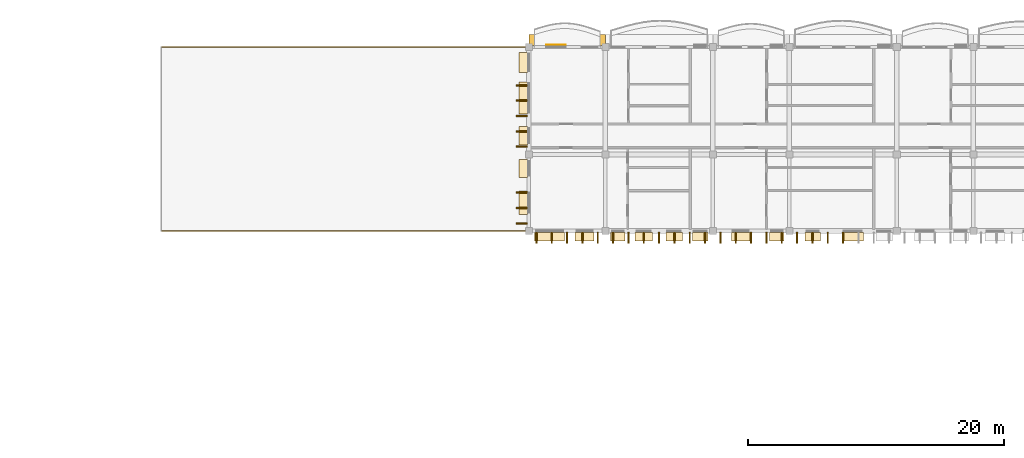
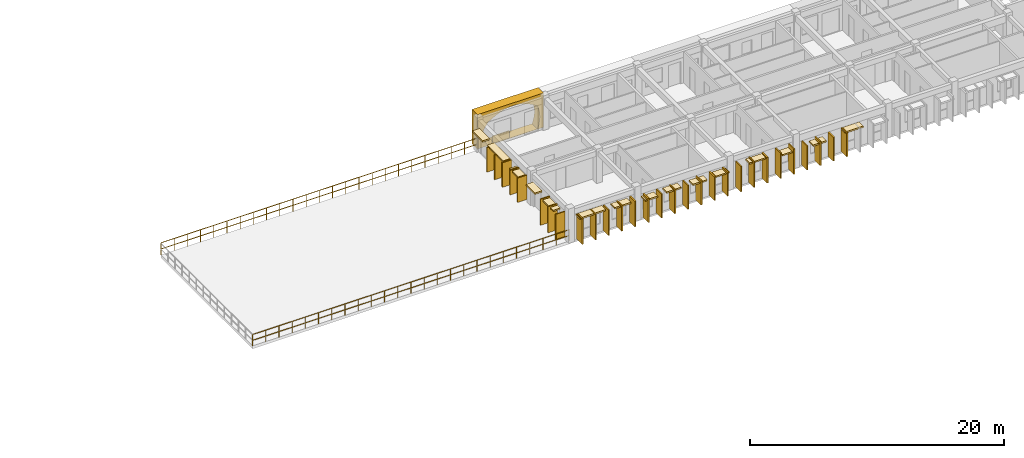
# One storey, part 39 of 45: 46 coverings, 2 railings.
"""IFC4 building model written with IfcOpenShell, lengths in metres."""

from ifc_helpers import new_model, si_unit, direction, frame, origin, origin_2d, place, context, subcontext, project, spatial, polyline, rectangle, outline, extrude, material, layer, layer_set, type_object, element, save


model = new_model("IFC4")

# Units and contexts
model_context = context("Model", 3, precision=1e-05, world=origin(), true_north=direction((0.0, 1.0)))
body_context = subcontext(model_context, "Body", "Model", "MODEL_VIEW")
ifc_project = project(units=[si_unit("LENGTHUNIT", "METRE"), si_unit("AREAUNIT", "SQUARE_METRE"), si_unit("VOLUMEUNIT", "CUBIC_METRE"), si_unit("PLANEANGLEUNIT", "RADIAN"), si_unit("MASSUNIT", "GRAM", prefix="KILO"), si_unit("THERMODYNAMICTEMPERATUREUNIT", "KELVIN")], contexts=[model_context])

# Site, building, storey
site_placement = place(None, origin())
site = spatial("IfcSite", under=ifc_project, at=site_placement, CompositionType="ELEMENT")
building_placement = place(site_placement, origin())
building = spatial("IfcBuilding", under=site, at=building_placement, Name="Thalorik Housing Commons", CompositionType="ELEMENT")
storey_placement = place(building_placement, frame((0.0, 0.0, 34.5)))
storey = spatial("IfcBuildingStorey", under=building, at=storey_placement, Name="L10", CompositionType="ELEMENT", Elevation=34.5)

# Coverings
ifc_material_1 = material(Name="Precast concrete C40/50", Category="concrete")
ifc_layer_1 = layer(ifc_material_1, 0.85009765625, Name="Precast concrete C40/50", Category="concrete")
ifc_layer_set_1 = layer_set([ifc_layer_1], Name="Precast concrete C40/50")
covering_type_1 = type_object("IfcCoveringType", Name="ARC-CLD-CUSH-850", PredefinedType="CLADDING", material=ifc_layer_set_1)
covering_1_placement = place(storey_placement, frame((112.199951171875, 124.137451171875, 0.0), z_axis=(0.0, 0.0, 1.0), x_axis=(-1.0, 0.0, 0.0)))
element("IfcCovering", 1, at=covering_1_placement, inside=storey, type_object=covering_type_1, Name="L10 White Precast Curved Cushion Bay Frame 3052", PredefinedType="CLADDING", context=body_context, shape_type="SweptSolid", body=[
    extrude(outline(polyline([(-3.0, 0.0), (3.0, 0.0), (3.0, 3.300048828125), (-3.0, 3.300048828125), (-3.0, 0.0)]), holes=[polyline([(2.0400390625, 0.02490234375), (2.3232421875, 0.394287109375), (2.493408203125, 0.76318359375), (2.550048828125, 1.132568359375), (2.493408203125, 1.501708984375), (2.3232421875, 1.870849609375), (2.0400390625, 2.239990234375), (1.66748046875, 2.4833984375), (1.294921875, 2.6748046875), (0.922607421875, 2.82958984375), (0.550048828125, 2.94482421875), (0.177490234375, 3.01611328125), (-0.195068359375, 3.0400390625), (-0.5673828125, 3.01611328125), (-0.93994140625, 2.94482421875), (-1.3125, 2.82958984375), (-1.68505859375, 2.6748046875), (-2.0576171875, 2.4833984375), (-2.429931640625, 2.239990234375), (-2.55029296875, 1.870849609375), (-2.62255859375, 1.501708984375), (-2.646484375, 1.132568359375), (-2.62255859375, 0.76318359375), (-2.55029296875, 0.394287109375), (-2.429931640625, 0.02490234375), (2.0400390625, 0.02490234375)])]), frame((0.0, 0.425048828125, 0.0), z_axis=(0.0, -1.0, 0.0), x_axis=(1.0, 0.0, 0.0)), (0.0, 0.0, 1.0), 0.85009765625),
])
ifc_layer_2 = layer(ifc_material_1, 0.85009765625, Name="Precast concrete C40/50", Category="concrete")
ifc_layer_set_2 = layer_set([ifc_layer_2], Name="Precast concrete C40/50")
covering_type_2 = type_object("IfcCoveringType", Name="ARC-CLD-FIN-850", PredefinedType="CLADDING", material=ifc_layer_set_2)
for number, where, z_axis, x_axis, name in (
    (2, (108.66259765625, 120.60009765625, 0.0400390625), (0.0, 0.0, 1.0), (0.0, -1.0, 0.0), "L10 Courtyard Precast Vertical Brise-Soleil Fin 3054"),
    (3, (108.66259765625, 119.39990234375, 0.0400390625), (0.0, 0.0, 1.0), (0.0, -1.0, 0.0), "L10 Courtyard Precast Vertical Brise-Soleil Fin 3055"),
    (4, (108.66259765625, 118.199951171875, 0.0400390625), (0.0, 0.0, 1.0), (0.0, -1.0, 0.0), "L10 Courtyard Precast Vertical Brise-Soleil Fin 3056"),
    (5, (108.66259765625, 117.0, 0.0400390625), (0.0, 0.0, 1.0), (0.0, -1.0, 0.0), "L10 Courtyard Precast Vertical Brise-Soleil Fin 3057"),
    (6, (108.66259765625, 115.800048828125, 0.0400390625), (0.0, 0.0, 1.0), (0.0, -1.0, 0.0), "L10 Courtyard Precast Vertical Brise-Soleil Fin 3058"),
):
    element("IfcCovering", number, at=place(storey_placement, frame(where, z_axis=z_axis, x_axis=x_axis)), inside=storey, type_object=covering_type_2, Name=name, PredefinedType="CLADDING", context=body_context, shape_type="SweptSolid", body=[
        extrude(rectangle(XDim=0.110107421875, YDim=0.85009765625, at=origin_2d()), origin(), (0.0, 0.0, 1.0), 2.344970703125),
    ])
for number, where, z_axis, x_axis, name in (
    (7, (108.66259765625, 112.199951171875, 0.0400390625), (0.0, 0.0, 1.0), (0.0, -1.0, 0.0), "L10 Courtyard Precast Vertical Brise-Soleil Fin 3062"),
    (8, (108.66259765625, 111.0, 0.0400390625), (0.0, 0.0, 1.0), (0.0, -1.0, 0.0), "L10 Courtyard Precast Vertical Brise-Soleil Fin 3063"),
    (9, (108.66259765625, 109.800048828125, 0.0400390625), (0.0, 0.0, 1.0), (0.0, -1.0, 0.0), "L10 Courtyard Precast Vertical Brise-Soleil Fin 3064"),
):
    element("IfcCovering", number, at=place(storey_placement, frame(where, z_axis=z_axis, x_axis=x_axis)), inside=storey, type_object=covering_type_2, Name=name, PredefinedType="CLADDING", context=body_context, shape_type="SweptSolid", body=[
        extrude(rectangle(XDim=0.110107421875, YDim=0.85009765625, at=origin_2d()), origin(), (0.0, 0.0, 1.0), 2.4951171875),
    ])
for number, where, z_axis, x_axis, name in (
    (10, (109.800048828125, 108.66259765625, 0.0400390625), (0.0, 0.0, 1.0), (1.0, 0.0, 0.0), "L10 Courtyard Precast Vertical Brise-Soleil Fin 3067"),
    (11, (111.0, 108.66259765625, 0.0400390625), (0.0, 0.0, 1.0), (1.0, 0.0, 0.0), "L10 Courtyard Precast Vertical Brise-Soleil Fin 3068"),
    (12, (112.199951171875, 108.66259765625, 0.0400390625), (0.0, 0.0, 1.0), (1.0, 0.0, 0.0), "L10 Courtyard Precast Vertical Brise-Soleil Fin 3069"),
    (13, (113.39990234375, 108.66259765625, 0.0400390625), (0.0, 0.0, 1.0), (1.0, 0.0, 0.0), "L10 Courtyard Precast Vertical Brise-Soleil Fin 3070"),
    (14, (114.60009765625, 108.66259765625, 0.0400390625), (0.0, 0.0, 1.0), (1.0, 0.0, 0.0), "L10 Courtyard Precast Vertical Brise-Soleil Fin 3071"),
):
    element("IfcCovering", number, at=place(storey_placement, frame(where, z_axis=z_axis, x_axis=x_axis)), inside=storey, type_object=covering_type_2, Name=name, PredefinedType="CLADDING", context=body_context, shape_type="SweptSolid", body=[
        extrude(rectangle(XDim=0.110107421875, YDim=0.85009765625, at=origin_2d()), origin(), (0.0, 0.0, 1.0), 2.445068359375),
    ])
for number, where, z_axis, x_axis, name in (
    (15, (115.800048828125, 108.66259765625, 0.0400390625), (0.0, 0.0, 1.0), (1.0, 0.0, 0.0), "L10 Courtyard Precast Vertical Brise-Soleil Fin 3074"),
    (16, (117.0, 108.66259765625, 0.0400390625), (0.0, 0.0, 1.0), (1.0, 0.0, 0.0), "L10 Courtyard Precast Vertical Brise-Soleil Fin 3075"),
    (17, (118.199951171875, 108.66259765625, 0.0400390625), (0.0, 0.0, 1.0), (1.0, 0.0, 0.0), "L10 Courtyard Precast Vertical Brise-Soleil Fin 3076"),
    (18, (119.39990234375, 108.66259765625, 0.0400390625), (0.0, 0.0, 1.0), (1.0, 0.0, 0.0), "L10 Courtyard Precast Vertical Brise-Soleil Fin 3077"),
    (19, (120.60009765625, 108.66259765625, 0.0400390625), (0.0, 0.0, 1.0), (1.0, 0.0, 0.0), "L10 Courtyard Precast Vertical Brise-Soleil Fin 3078"),
    (20, (121.800048828125, 108.66259765625, 0.0400390625), (0.0, 0.0, 1.0), (1.0, 0.0, 0.0), "L10 Courtyard Precast Vertical Brise-Soleil Fin 3079"),
    (21, (123.0, 108.66259765625, 0.0400390625), (0.0, 0.0, 1.0), (1.0, 0.0, 0.0), "L10 Courtyard Precast Vertical Brise-Soleil Fin 3080"),
):
    element("IfcCovering", number, at=place(storey_placement, frame(where, z_axis=z_axis, x_axis=x_axis)), inside=storey, type_object=covering_type_2, Name=name, PredefinedType="CLADDING", context=body_context, shape_type="SweptSolid", body=[
        extrude(rectangle(XDim=0.110107421875, YDim=0.85009765625, at=origin_2d()), origin(), (0.0, 0.0, 1.0), 2.294921875),
    ])
for number, where, z_axis, x_axis, name in (
    (22, (124.199951171875, 108.66259765625, 0.0400390625), (0.0, 0.0, 1.0), (1.0, 0.0, 0.0), "L10 Courtyard Precast Vertical Brise-Soleil Fin 3085"),
    (23, (125.39990234375, 108.66259765625, 0.0400390625), (0.0, 0.0, 1.0), (1.0, 0.0, 0.0), "L10 Courtyard Precast Vertical Brise-Soleil Fin 3086"),
    (24, (126.60009765625, 108.66259765625, 0.0400390625), (0.0, 0.0, 1.0), (1.0, 0.0, 0.0), "L10 Courtyard Precast Vertical Brise-Soleil Fin 3087"),
    (25, (127.800048828125, 108.66259765625, 0.0400390625), (0.0, 0.0, 1.0), (1.0, 0.0, 0.0), "L10 Courtyard Precast Vertical Brise-Soleil Fin 3088"),
    (26, (129.0, 108.66259765625, 0.0400390625), (0.0, 0.0, 1.0), (1.0, 0.0, 0.0), "L10 Courtyard Precast Vertical Brise-Soleil Fin 3089"),
):
    element("IfcCovering", number, at=place(storey_placement, frame(where, z_axis=z_axis, x_axis=x_axis)), inside=storey, type_object=covering_type_2, Name=name, PredefinedType="CLADDING", context=body_context, shape_type="SweptSolid", body=[
        extrude(rectangle(XDim=0.110107421875, YDim=0.85009765625, at=origin_2d()), origin(), (0.0, 0.0, 1.0), 2.445068359375),
    ])
for number, where, z_axis, x_axis, name in (
    (27, (130.199951171875, 108.66259765625, 0.0400390625), (0.0, 0.0, 1.0), (1.0, 0.0, 0.0), "L10 Courtyard Precast Vertical Brise-Soleil Fin 3092"),
    (28, (131.39990234375, 108.66259765625, 0.0400390625), (0.0, 0.0, 1.0), (1.0, 0.0, 0.0), "L10 Courtyard Precast Vertical Brise-Soleil Fin 3093"),
    (29, (132.60009765625, 108.66259765625, 0.0400390625), (0.0, 0.0, 1.0), (1.0, 0.0, 0.0), "L10 Courtyard Precast Vertical Brise-Soleil Fin 3094"),
    (30, (133.800048828125, 108.66259765625, 0.0400390625), (0.0, 0.0, 1.0), (1.0, 0.0, 0.0), "L10 Courtyard Precast Vertical Brise-Soleil Fin 3095"),
):
    element("IfcCovering", number, at=place(storey_placement, frame(where, z_axis=z_axis, x_axis=x_axis)), inside=storey, type_object=covering_type_2, Name=name, PredefinedType="CLADDING", context=body_context, shape_type="SweptSolid", body=[
        extrude(rectangle(XDim=0.110107421875, YDim=0.85009765625, at=origin_2d()), origin(), (0.0, 0.0, 1.0), 2.294921875),
    ])
ifc_layer_3 = layer(ifc_material_1, 0.64990234375, Name="Precast concrete C40/50", Category="concrete")
ifc_layer_set_3 = layer_set([ifc_layer_3], Name="Precast concrete C40/50")
covering_type_3 = type_object("IfcCoveringType", Name="ARC-CLD-HOOD-650", PredefinedType="CLADDING", material=ifc_layer_set_3)
covering_2_placement = place(storey_placement, frame((108.762451171875, 122.385009765625, 2.2099609375), z_axis=(0.0, 0.0, 1.0), x_axis=(0.0, -1.0, 0.0)))
element("IfcCovering", 31, at=covering_2_placement, inside=storey, type_object=covering_type_3, Name="L10 Courtyard Precast Window Sun-Hood 3059", PredefinedType="CLADDING", context=body_context, shape_type="SweptSolid", body=[
    extrude(rectangle(XDim=1.590087890625, YDim=0.64990234375, at=origin_2d()), origin(), (0.0, 0.0, 1.0), 0.139892578125),
])
covering_3_placement = place(storey_placement, frame((108.762451171875, 119.610107421875, 2.25), z_axis=(0.0, 0.0, 1.0), x_axis=(0.0, -1.0, 0.0)))
element("IfcCovering", 32, at=covering_3_placement, inside=storey, type_object=covering_type_3, Name="L10 Courtyard Precast Window Sun-Hood 3060", PredefinedType="CLADDING", context=body_context, shape_type="SweptSolid", body=[
    extrude(rectangle(XDim=2.52001953125, YDim=0.64990234375, at=origin_2d()), origin(), (0.0, 0.0, 1.0), 0.139892578125),
])
covering_4_placement = place(storey_placement, frame((108.762451171875, 116.64990234375, 2.14013671875), z_axis=(0.0, 0.0, 1.0), x_axis=(0.0, -1.0, 0.0)))
element("IfcCovering", 33, at=covering_4_placement, inside=storey, type_object=covering_type_3, Name="L10 Courtyard Precast Window Sun-Hood 3061", PredefinedType="CLADDING", context=body_context, shape_type="SweptSolid", body=[
    extrude(rectangle(XDim=1.43994140625, YDim=0.64990234375, at=origin_2d()), origin(), (0.0, 0.0, 1.0), 0.139892578125),
])
covering_5_placement = place(storey_placement, frame((108.762451171875, 114.0849609375, 2.16015625), z_axis=(0.0, 0.0, 1.0), x_axis=(0.0, -1.0, 0.0)))
element("IfcCovering", 34, at=covering_5_placement, inside=storey, type_object=covering_type_3, Name="L10 Courtyard Precast Window Sun-Hood 3065", PredefinedType="CLADDING", context=body_context, shape_type="SweptSolid", body=[
    extrude(rectangle(XDim=1.389892578125, YDim=0.64990234375, at=origin_2d()), origin(), (0.0, 0.0, 1.0), 0.139892578125),
])
covering_6_placement = place(storey_placement, frame((108.762451171875, 111.4150390625, 2.27001953125), z_axis=(0.0, 0.0, 1.0), x_axis=(0.0, -1.0, 0.0)))
element("IfcCovering", 35, at=covering_6_placement, inside=storey, type_object=covering_type_3, Name="L10 Courtyard Precast Window Sun-Hood 3066", PredefinedType="CLADDING", context=body_context, shape_type="SweptSolid", body=[
    extrude(rectangle(XDim=1.820068359375, YDim=0.64990234375, at=origin_2d()), origin(), (0.0, 0.0, 1.0), 0.139892578125),
])
covering_7_placement = place(storey_placement, frame((110.830078125, 108.762451171875, 2.33984375), z_axis=(0.0, 0.0, 1.0), x_axis=(1.0, 0.0, 0.0)))
element("IfcCovering", 36, at=covering_7_placement, inside=storey, type_object=covering_type_3, Name="L10 Courtyard Precast Window Sun-Hood 3072", PredefinedType="CLADDING", context=body_context, shape_type="SweptSolid", body=[
    extrude(rectangle(XDim=2.340087890625, YDim=0.64990234375, at=origin_2d()), origin(), (0.0, 0.0, 1.0), 0.139892578125),
])
covering_8_placement = place(storey_placement, frame((113.570068359375, 108.762451171875, 2.240234375), z_axis=(0.0, 0.0, 1.0), x_axis=(1.0, 0.0, 0.0)))
element("IfcCovering", 37, at=covering_8_placement, inside=storey, type_object=covering_type_3, Name="L10 Courtyard Precast Window Sun-Hood 3073", PredefinedType="CLADDING", context=body_context, shape_type="SweptSolid", body=[
    extrude(rectangle(XDim=1.489990234375, YDim=0.64990234375, at=origin_2d()), origin(), (0.0, 0.0, 1.0), 0.139892578125),
])
covering_9_placement = place(storey_placement, frame((116.16748046875, 108.762451171875, 1.990234375), z_axis=(0.0, 0.0, 1.0), x_axis=(1.0, 0.0, 0.0)))
element("IfcCovering", 38, at=covering_9_placement, inside=storey, type_object=covering_type_3, Name="L10 Courtyard Precast Window Sun-Hood 3081", PredefinedType="CLADDING", context=body_context, shape_type="SweptSolid", body=[
    extrude(rectangle(XDim=1.139892578125, YDim=0.64990234375, at=origin_2d()), origin(), (0.0, 0.0, 1.0), 0.139892578125),
])
covering_10_placement = place(storey_placement, frame((118.201171875, 108.762451171875, 2.08984375), z_axis=(0.0, 0.0, 1.0), x_axis=(1.0, 0.0, 0.0)))
element("IfcCovering", 39, at=covering_10_placement, inside=storey, type_object=covering_type_3, Name="L10 Courtyard Precast Window Sun-Hood 3082", PredefinedType="CLADDING", context=body_context, shape_type="SweptSolid", body=[
    extrude(rectangle(XDim=1.340087890625, YDim=0.64990234375, at=origin_2d()), origin(), (0.0, 0.0, 1.0), 0.139892578125),
])
covering_11_placement = place(storey_placement, frame((120.57373046875, 108.762451171875, 1.990234375), z_axis=(0.0, 0.0, 1.0), x_axis=(1.0, 0.0, 0.0)))
element("IfcCovering", 40, at=covering_11_placement, inside=storey, type_object=covering_type_3, Name="L10 Courtyard Precast Window Sun-Hood 3083", PredefinedType="CLADDING", context=body_context, shape_type="SweptSolid", body=[
    extrude(rectangle(XDim=1.2900390625, YDim=0.64990234375, at=origin_2d()), origin(), (0.0, 0.0, 1.0), 0.139892578125),
])
covering_12_placement = place(storey_placement, frame((122.6201171875, 108.762451171875, 2.0400390625), z_axis=(0.0, 0.0, 1.0), x_axis=(1.0, 0.0, 0.0)))
element("IfcCovering", 41, at=covering_12_placement, inside=storey, type_object=covering_type_3, Name="L10 Courtyard Precast Window Sun-Hood 3084", PredefinedType="CLADDING", context=body_context, shape_type="SweptSolid", body=[
    extrude(rectangle(XDim=1.239990234375, YDim=0.64990234375, at=origin_2d()), origin(), (0.0, 0.0, 1.0), 0.139892578125),
])
covering_13_placement = place(storey_placement, frame((125.802490234375, 108.762451171875, 2.240234375), z_axis=(0.0, 0.0, 1.0), x_axis=(1.0, 0.0, 0.0)))
element("IfcCovering", 42, at=covering_13_placement, inside=storey, type_object=covering_type_3, Name="L10 Courtyard Precast Window Sun-Hood 3090", PredefinedType="CLADDING", context=body_context, shape_type="SweptSolid", body=[
    extrude(rectangle(XDim=1.489990234375, YDim=0.64990234375, at=origin_2d()), origin(), (0.0, 0.0, 1.0), 0.139892578125),
])
covering_14_placement = place(storey_placement, frame((128.612548828125, 108.762451171875, 1.990234375), z_axis=(0.0, 0.0, 1.0), x_axis=(1.0, 0.0, 0.0)))
element("IfcCovering", 43, at=covering_14_placement, inside=storey, type_object=covering_type_3, Name="L10 Courtyard Precast Window Sun-Hood 3091", PredefinedType="CLADDING", context=body_context, shape_type="SweptSolid", body=[
    extrude(rectangle(XDim=1.139892578125, YDim=0.64990234375, at=origin_2d()), origin(), (0.0, 0.0, 1.0), 0.139892578125),
])
covering_15_placement = place(storey_placement, frame((131.427490234375, 108.762451171875, 1.93994140625), z_axis=(0.0, 0.0, 1.0), x_axis=(1.0, 0.0, 0.0)))
element("IfcCovering", 44, at=covering_15_placement, inside=storey, type_object=covering_type_3, Name="L10 Courtyard Precast Window Sun-Hood 3099", PredefinedType="CLADDING", context=body_context, shape_type="SweptSolid", body=[
    extrude(rectangle(XDim=1.18994140625, YDim=0.64990234375, at=origin_2d()), origin(), (0.0, 0.0, 1.0), 0.139892578125),
])
covering_16_placement = place(storey_placement, frame((134.5625, 108.762451171875, 2.169921875), z_axis=(0.0, 0.0, 1.0), x_axis=(1.0, 0.0, 0.0)))
element("IfcCovering", 45, at=covering_16_placement, inside=storey, type_object=covering_type_3, Name="L10 Courtyard Precast Window Sun-Hood 3100", PredefinedType="CLADDING", context=body_context, shape_type="SweptSolid", body=[
    extrude(rectangle(XDim=1.659912109375, YDim=0.64990234375, at=origin_2d()), origin(), (0.0, 0.0, 1.0), 0.139892578125),
])
ifc_material_2 = material(Name="Mineral ochre architectural terracotta panel", Category="masonry")
ifc_layer_4 = layer(ifc_material_2, 0.06494140625, Name="Mineral ochre architectural terracotta panel", Category="masonry")
ifc_layer_set_4 = layer_set([ifc_layer_4], Name="Mineral ochre architectural terracotta panel")
covering_type_4 = type_object("IfcCoveringType", Name="ARC-CLD-YEL-65", PredefinedType="CLADDING", material=ifc_layer_set_4)
covering_17_placement = place(storey_placement, frame((111.3349609375, 123.75, 0.0498046875), z_axis=(0.0, 0.0, 1.0), x_axis=(-1.0, 0.0, 0.0)))
element("IfcCovering", 46, at=covering_17_placement, inside=storey, type_object=covering_type_4, Name="L10 De Stijl Recessed Window Spandrel 3053", PredefinedType="CLADDING", context=body_context, shape_type="SweptSolid", body=[
    extrude(rectangle(XDim=1.550048828125, YDim=0.06494140625, at=origin_2d()), origin(), (0.0, 0.0, 1.0), 0.699951171875),
])

# Railings
ifc_material_3 = material(Name="Steel S355", Category="steel")
railing_type_1 = type_object("IfcRailingType", Name="ARC-RL-TER-112", PredefinedType="GUARDRAIL", material=ifc_material_3)
railing_1_placement = place(storey_placement, frame((80.39990234375, 109.199951171875, 0.0)))
element("IfcRailing", 47, at=railing_1_placement, inside=storey, type_object=railing_type_1, Name="L10 L10 West Sky-Garden Terrace Edge Guardrail", PredefinedType="GUARDRAIL", context=body_context, shape_type="SweptSolid", body=[
    extrude(rectangle(XDim=0.048095703125, YDim=0.048095703125, at=origin_2d()), frame((0.0, 0.0, 1.09619140625), z_axis=(1.0, 0.0, 0.0), x_axis=(0.0, 1.0, 0.0)), (0.0, 0.0, 1.0), 28.75),
    extrude(rectangle(XDim=0.048095703125, YDim=0.048095703125, at=origin_2d()), frame((0.0, 0.0, 0.5361328125), z_axis=(1.0, 0.0, 0.0), x_axis=(0.0, 1.0, 0.0)), (0.0, 0.0, 1.0), 28.75),
    extrude(rectangle(XDim=0.0419921875, YDim=0.0419921875, at=origin_2d()), origin(), (0.0, 0.0, 1.0), 1.072021484375),
    extrude(rectangle(XDim=0.0419921875, YDim=0.0419921875, at=origin_2d()), frame((1.197998046875, 0.0, 0.0)), (0.0, 0.0, 1.0), 1.072021484375),
    extrude(rectangle(XDim=0.0419921875, YDim=0.0419921875, at=origin_2d()), frame((2.395751953125, 0.0, 0.0)), (0.0, 0.0, 1.0), 1.072021484375),
    extrude(rectangle(XDim=0.0419921875, YDim=0.0419921875, at=origin_2d()), frame((3.59375, 0.0, 0.0)), (0.0, 0.0, 1.0), 1.072021484375),
    extrude(rectangle(XDim=0.0419921875, YDim=0.0419921875, at=origin_2d()), frame((4.791748046875, 0.0, 0.0)), (0.0, 0.0, 1.0), 1.072021484375),
    extrude(rectangle(XDim=0.0419921875, YDim=0.0419921875, at=origin_2d()), frame((5.989501953125, 0.0, 0.0)), (0.0, 0.0, 1.0), 1.072021484375),
    extrude(rectangle(XDim=0.0419921875, YDim=0.0419921875, at=origin_2d()), frame((7.1875, 0.0, 0.0)), (0.0, 0.0, 1.0), 1.072021484375),
    extrude(rectangle(XDim=0.0419921875, YDim=0.0419921875, at=origin_2d()), frame((8.385498046875, 0.0, 0.0)), (0.0, 0.0, 1.0), 1.072021484375),
    extrude(rectangle(XDim=0.0419921875, YDim=0.0419921875, at=origin_2d()), frame((9.583251953125, 0.0, 0.0)), (0.0, 0.0, 1.0), 1.072021484375),
    extrude(rectangle(XDim=0.0419921875, YDim=0.0419921875, at=origin_2d()), frame((10.78125, 0.0, 0.0)), (0.0, 0.0, 1.0), 1.072021484375),
    extrude(rectangle(XDim=0.0419921875, YDim=0.0419921875, at=origin_2d()), frame((11.979248046875, 0.0, 0.0)), (0.0, 0.0, 1.0), 1.072021484375),
    extrude(rectangle(XDim=0.0419921875, YDim=0.0419921875, at=origin_2d()), frame((13.177001953125, 0.0, 0.0)), (0.0, 0.0, 1.0), 1.072021484375),
    extrude(rectangle(XDim=0.0419921875, YDim=0.0419921875, at=origin_2d()), frame((14.375, 0.0, 0.0)), (0.0, 0.0, 1.0), 1.072021484375),
    extrude(rectangle(XDim=0.0419921875, YDim=0.0419921875, at=origin_2d()), frame((15.572998046875, 0.0, 0.0)), (0.0, 0.0, 1.0), 1.072021484375),
    extrude(rectangle(XDim=0.0419921875, YDim=0.0419921875, at=origin_2d()), frame((16.770751953125, 0.0, 0.0)), (0.0, 0.0, 1.0), 1.072021484375),
    extrude(rectangle(XDim=0.0419921875, YDim=0.0419921875, at=origin_2d()), frame((17.96875, 0.0, 0.0)), (0.0, 0.0, 1.0), 1.072021484375),
    extrude(rectangle(XDim=0.0419921875, YDim=0.0419921875, at=origin_2d()), frame((19.166748046875, 0.0, 0.0)), (0.0, 0.0, 1.0), 1.072021484375),
    extrude(rectangle(XDim=0.0419921875, YDim=0.0419921875, at=origin_2d()), frame((20.364501953125, 0.0, 0.0)), (0.0, 0.0, 1.0), 1.072021484375),
    extrude(rectangle(XDim=0.0419921875, YDim=0.0419921875, at=origin_2d()), frame((21.5625, 0.0, 0.0)), (0.0, 0.0, 1.0), 1.072021484375),
    extrude(rectangle(XDim=0.0419921875, YDim=0.0419921875, at=origin_2d()), frame((22.760498046875, 0.0, 0.0)), (0.0, 0.0, 1.0), 1.072021484375),
    extrude(rectangle(XDim=0.0419921875, YDim=0.0419921875, at=origin_2d()), frame((23.958251953125, 0.0, 0.0)), (0.0, 0.0, 1.0), 1.072021484375),
    extrude(rectangle(XDim=0.0419921875, YDim=0.0419921875, at=origin_2d()), frame((25.15625, 0.0, 0.0)), (0.0, 0.0, 1.0), 1.072021484375),
    extrude(rectangle(XDim=0.0419921875, YDim=0.0419921875, at=origin_2d()), frame((26.354248046875, 0.0, 0.0)), (0.0, 0.0, 1.0), 1.072021484375),
    extrude(rectangle(XDim=0.0419921875, YDim=0.0419921875, at=origin_2d()), frame((27.552001953125, 0.0, 0.0)), (0.0, 0.0, 1.0), 1.072021484375),
    extrude(rectangle(XDim=0.0419921875, YDim=0.0419921875, at=origin_2d()), frame((28.75, 0.0, 0.0)), (0.0, 0.0, 1.0), 1.072021484375),
])
railing_type_2 = type_object("IfcRailingType", Name="ARC-RL-TER-118", PredefinedType="GUARDRAIL", material=ifc_material_3)
railing_2_placement = place(storey_placement, frame((109.14990234375, 123.60009765625, 0.0)))
element("IfcRailing", 48, at=railing_2_placement, inside=storey, type_object=railing_type_2, Name="L10 L10 West Sky-Garden Terrace Edge Guardrail", PredefinedType="GUARDRAIL", context=body_context, shape_type="SweptSolid", body=[
    extrude(rectangle(XDim=0.048095703125, YDim=0.048095703125, at=origin_2d()), frame((0.0, 0.0, 1.15576171875), z_axis=(-1.0, 0.0, 0.0), x_axis=(0.0, -1.0, 0.0)), (0.0, 0.0, 1.0), 28.75),
    extrude(rectangle(XDim=0.048095703125, YDim=0.048095703125, at=origin_2d()), frame((0.0, 0.0, 0.56591796875), z_axis=(-1.0, 0.0, 0.0), x_axis=(0.0, -1.0, 0.0)), (0.0, 0.0, 1.0), 28.75),
    extrude(rectangle(XDim=0.0419921875, YDim=0.0419921875, at=origin_2d()), origin(), (0.0, 0.0, 1.0), 1.1318359375),
    extrude(rectangle(XDim=0.0419921875, YDim=0.0419921875, at=origin_2d()), frame((-1.197998046875, 0.0, 0.0)), (0.0, 0.0, 1.0), 1.1318359375),
    extrude(rectangle(XDim=0.0419921875, YDim=0.0419921875, at=origin_2d()), frame((-2.395751953125, 0.0, 0.0)), (0.0, 0.0, 1.0), 1.1318359375),
    extrude(rectangle(XDim=0.0419921875, YDim=0.0419921875, at=origin_2d()), frame((-3.59375, 0.0, 0.0)), (0.0, 0.0, 1.0), 1.1318359375),
    extrude(rectangle(XDim=0.0419921875, YDim=0.0419921875, at=origin_2d()), frame((-4.791748046875, 0.0, 0.0)), (0.0, 0.0, 1.0), 1.1318359375),
    extrude(rectangle(XDim=0.0419921875, YDim=0.0419921875, at=origin_2d()), frame((-5.989501953125, 0.0, 0.0)), (0.0, 0.0, 1.0), 1.1318359375),
    extrude(rectangle(XDim=0.0419921875, YDim=0.0419921875, at=origin_2d()), frame((-7.1875, 0.0, 0.0)), (0.0, 0.0, 1.0), 1.1318359375),
    extrude(rectangle(XDim=0.0419921875, YDim=0.0419921875, at=origin_2d()), frame((-8.385498046875, 0.0, 0.0)), (0.0, 0.0, 1.0), 1.1318359375),
    extrude(rectangle(XDim=0.0419921875, YDim=0.0419921875, at=origin_2d()), frame((-9.583251953125, 0.0, 0.0)), (0.0, 0.0, 1.0), 1.1318359375),
    extrude(rectangle(XDim=0.0419921875, YDim=0.0419921875, at=origin_2d()), frame((-10.78125, 0.0, 0.0)), (0.0, 0.0, 1.0), 1.1318359375),
    extrude(rectangle(XDim=0.0419921875, YDim=0.0419921875, at=origin_2d()), frame((-11.979248046875, 0.0, 0.0)), (0.0, 0.0, 1.0), 1.1318359375),
    extrude(rectangle(XDim=0.0419921875, YDim=0.0419921875, at=origin_2d()), frame((-13.177001953125, 0.0, 0.0)), (0.0, 0.0, 1.0), 1.1318359375),
    extrude(rectangle(XDim=0.0419921875, YDim=0.0419921875, at=origin_2d()), frame((-14.375, 0.0, 0.0)), (0.0, 0.0, 1.0), 1.1318359375),
    extrude(rectangle(XDim=0.0419921875, YDim=0.0419921875, at=origin_2d()), frame((-15.572998046875, 0.0, 0.0)), (0.0, 0.0, 1.0), 1.1318359375),
    extrude(rectangle(XDim=0.0419921875, YDim=0.0419921875, at=origin_2d()), frame((-16.770751953125, 0.0, 0.0)), (0.0, 0.0, 1.0), 1.1318359375),
    extrude(rectangle(XDim=0.0419921875, YDim=0.0419921875, at=origin_2d()), frame((-17.96875, 0.0, 0.0)), (0.0, 0.0, 1.0), 1.1318359375),
    extrude(rectangle(XDim=0.0419921875, YDim=0.0419921875, at=origin_2d()), frame((-19.166748046875, 0.0, 0.0)), (0.0, 0.0, 1.0), 1.1318359375),
    extrude(rectangle(XDim=0.0419921875, YDim=0.0419921875, at=origin_2d()), frame((-20.364501953125, 0.0, 0.0)), (0.0, 0.0, 1.0), 1.1318359375),
    extrude(rectangle(XDim=0.0419921875, YDim=0.0419921875, at=origin_2d()), frame((-21.5625, 0.0, 0.0)), (0.0, 0.0, 1.0), 1.1318359375),
    extrude(rectangle(XDim=0.0419921875, YDim=0.0419921875, at=origin_2d()), frame((-22.760498046875, 0.0, 0.0)), (0.0, 0.0, 1.0), 1.1318359375),
    extrude(rectangle(XDim=0.0419921875, YDim=0.0419921875, at=origin_2d()), frame((-23.958251953125, 0.0, 0.0)), (0.0, 0.0, 1.0), 1.1318359375),
    extrude(rectangle(XDim=0.0419921875, YDim=0.0419921875, at=origin_2d()), frame((-25.15625, 0.0, 0.0)), (0.0, 0.0, 1.0), 1.1318359375),
    extrude(rectangle(XDim=0.0419921875, YDim=0.0419921875, at=origin_2d()), frame((-26.354248046875, 0.0, 0.0)), (0.0, 0.0, 1.0), 1.1318359375),
    extrude(rectangle(XDim=0.0419921875, YDim=0.0419921875, at=origin_2d()), frame((-27.552001953125, 0.0, 0.0)), (0.0, 0.0, 1.0), 1.1318359375),
    extrude(rectangle(XDim=0.0419921875, YDim=0.0419921875, at=origin_2d()), frame((-28.75, 0.0, 0.0)), (0.0, 0.0, 1.0), 1.1318359375),
])

save(model, "model.ifc")
